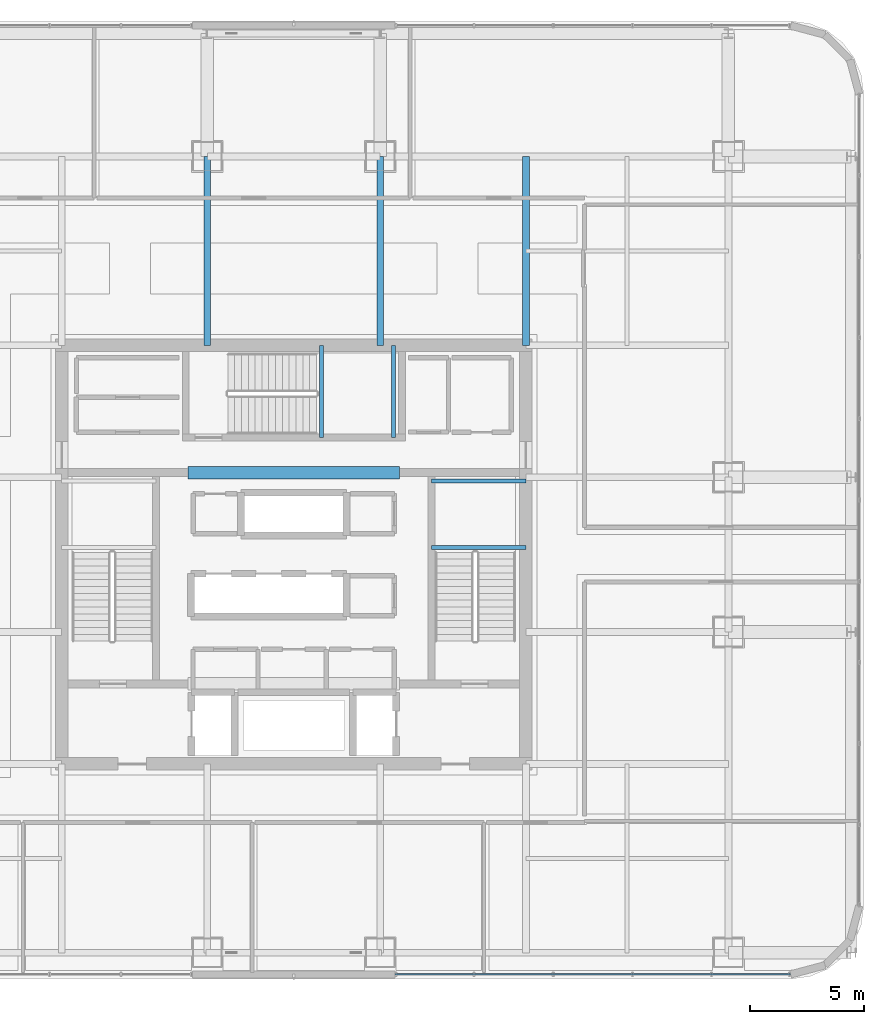
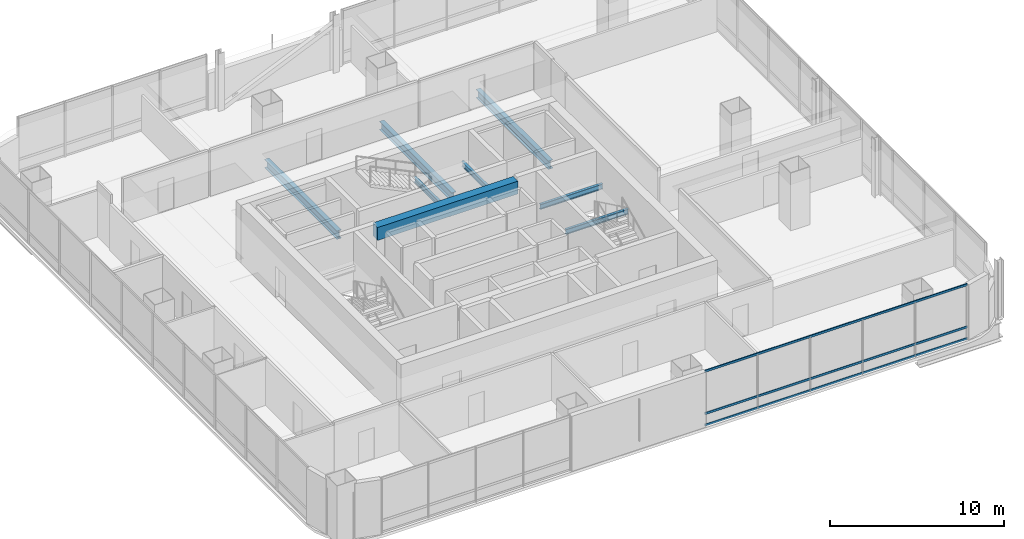
# One storey, part 11 of 44: 8 beams, 3 members, 1 element without a shape of its own.
"""IFC4 building model written with IfcOpenShell, lengths in metres."""

from ifc_helpers import new_model, si_unit, direction, frame, origin, origin_2d, place, context, subcontext, project, spatial, rectangle, hollow_rectangle, i_section, extrude, material, material_profile, profile_set, type_object, element, aggregate, save


model = new_model("IFC4")

# Units and contexts
model_context = context("Model", 3, precision=1e-05, world=origin(), true_north=direction((0.0, 1.0)))
body_context = subcontext(model_context, "Body", "Model", "MODEL_VIEW")
ifc_project = project(units=[si_unit("LENGTHUNIT", "METRE"), si_unit("AREAUNIT", "SQUARE_METRE"), si_unit("VOLUMEUNIT", "CUBIC_METRE"), si_unit("PLANEANGLEUNIT", "RADIAN"), si_unit("MASSUNIT", "GRAM", prefix="KILO")], contexts=[model_context])

# Site, building, storey
site_placement = place(None, origin())
site = spatial("IfcSite", under=ifc_project, at=site_placement, CompositionType="ELEMENT")
building_placement = place(site_placement, origin())
building = spatial("IfcBuilding", under=site, at=building_placement, Name="Punatoya Terracotta Tower", CompositionType="ELEMENT")
storey_placement = place(building_placement, frame((0.0, 0.0, 267.60009765625)))
storey = spatial("IfcBuildingStorey", under=building, at=storey_placement, Name="L63", CompositionType="ELEMENT", Elevation=267.60009765625)

# Beams
ifc_material_1 = material(Name="Steel S355", Category="steel")
ifc_material_profile_1 = material_profile(ifc_material_1, i_section(OverallWidth=0.300048828125, OverallDepth=0.60009765625, WebThickness=0.015380859375, FlangeThickness=0.030029296875, FilletRadius=0.01806640625, at=origin_2d()))
ifc_profile_set_1 = profile_set([ifc_material_profile_1], Name="Steel S355")
beam_type_1 = type_object("IfcBeamType", Name="BM-PRI-600", PredefinedType="BEAM", material=ifc_profile_set_1)
for number, where, z_axis, x_axis, name in (
    (1, (-3.800048828125, 9.199951171875, -0.5), (0.0, 1.0, 0.0), (-1.0, 0.0, 0.0), "BM-L63-PR-N2"),
    (2, (3.800048828125, 9.199951171875, -0.5), (0.0, 1.0, 0.0), (-1.0, 0.0, 0.0), "BM-L63-PR-N3"),
    (3, (10.199951171875, 9.199951171875, -0.5), (0.0, 1.0, 0.0), (-1.0, 0.0, 0.0), "BM-L63-PR-N4"),
):
    element("IfcBeam", number, at=place(storey_placement, frame(where, z_axis=z_axis, x_axis=x_axis)), inside=storey, type_object=beam_type_1, Name=name, PredefinedType="BEAM", context=body_context, shape_type="SweptSolid", body=[
        extrude(i_section(OverallWidth=0.300048828125, OverallDepth=0.60009765625, WebThickness=0.015380859375, FlangeThickness=0.030029296875, FilletRadius=0.01806640625, at=origin_2d()), origin(), (0.0, 0.0, 1.0), 8.300048828125),
    ])
ifc_material_2 = material(Name="Concrete C50/60", Category="concrete")
ifc_material_profile_2 = material_profile(ifc_material_2, rectangle(XDim=0.550048828125, YDim=0.89990234375, at=origin_2d()))
ifc_profile_set_2 = profile_set([ifc_material_profile_2], Name="Concrete C50/60")
beam_type_2 = type_object("IfcBeamType", Name="BM-RC-900", PredefinedType="LINTEL", material=ifc_profile_set_2)
beam_placement = place(storey_placement, frame((-4.64990234375, 3.60009765625, 3.39990234375), z_axis=(1.0, 0.0, 0.0), x_axis=(0.0, 1.0, 0.0)))
element("IfcBeam", 4, at=beam_placement, inside=storey, type_object=beam_type_2, Name="L63 Core Coupling Lintel CNW", PredefinedType="LINTEL", context=body_context, shape_type="SweptSolid", body=[
    extrude(rectangle(XDim=0.550048828125, YDim=0.89990234375, at=origin_2d()), origin(), (0.0, 0.0, 1.0), 9.2998046875),
])
ifc_material_profile_3 = material_profile(ifc_material_1, i_section(OverallWidth=0.169921875, OverallDepth=0.360107421875, WebThickness=0.008056640625, FlangeThickness=0.0126953125, FilletRadius=0.01806640625, at=origin_2d()))
ifc_profile_set_3 = profile_set([ifc_material_profile_3], Name="Steel S355")
beam_type_3 = type_object("IfcBeamType", Name="BM-SEC-360", PredefinedType="JOIST", material=ifc_profile_set_3)
for number, where, z_axis, x_axis, name in (
    (5, (6.050048828125, 0.320068359375, 1.64501953125), (1.0, 0.0, 0.0), (0.0, 1.0, 0.0), "BM-L63-ST-2-LD1A"),
    (6, (6.050048828125, 3.22998046875, 1.64501953125), (1.0, 0.0, 0.0), (0.0, 1.0, 0.0), "BM-L63-ST-2-LD1B"),
):
    element("IfcBeam", number, at=place(storey_placement, frame(where, z_axis=z_axis, x_axis=x_axis)), inside=storey, type_object=beam_type_3, Name=name, PredefinedType="JOIST", context=body_context, shape_type="SweptSolid", body=[
        extrude(i_section(OverallWidth=0.169921875, OverallDepth=0.360107421875, WebThickness=0.008056640625, FlangeThickness=0.0126953125, FilletRadius=0.01806640625, at=origin_2d()), origin(), (0.0, 0.0, 1.0), 4.14990234375),
    ])
for number, where, z_axis, x_axis, name in (
    (7, (1.219970703125, 5.14990234375, 1.64501953125), (0.0, 1.0, 0.0), (-1.0, 0.0, 0.0), "BM-L63-ST-3-LD1A"),
    (8, (4.3798828125, 5.14990234375, 1.64501953125), (0.0, 1.0, 0.0), (-1.0, 0.0, 0.0), "BM-L63-ST-3-LD1B"),
):
    element("IfcBeam", number, at=place(storey_placement, frame(where, z_axis=z_axis, x_axis=x_axis)), inside=storey, type_object=beam_type_3, Name=name, PredefinedType="JOIST", context=body_context, shape_type="SweptSolid", body=[
        extrude(i_section(OverallWidth=0.169921875, OverallDepth=0.360107421875, WebThickness=0.008056640625, FlangeThickness=0.0126953125, FilletRadius=0.01806640625, at=origin_2d()), origin(), (0.0, 0.0, 1.0), 4.050048828125),
    ])

# Curtain wall, members
ifc_material_3 = material(Name="Aluminium 6063-T6 + Double Low-E Glass", Category="aluminium")
curtain_wall_type = type_object("IfcCurtainWallType", Name="CW-M3", PredefinedType="NOTDEFINED", material=ifc_material_3)
curtain_wall_placement = place(storey_placement, origin())
curtain_wall = element("IfcCurtainWall", 9, at=curtain_wall_placement, inside=storey, type_object=curtain_wall_type, Name="L63 Curtain Wall CW-L63-S01-2", PredefinedType="NOTDEFINED")
ifc_material_4 = material(Name="Aluminium 6063-T6", Category="aluminium")
ifc_material_profile_4 = material_profile(ifc_material_4, hollow_rectangle(XDim=0.068115234375, YDim=0.14990234375, WallThickness=0.00390625, at=origin_2d()))
ifc_profile_set_4 = profile_set([ifc_material_profile_4], Name="Aluminium 6063-T6")
member_type = type_object("IfcMemberType", Name="CW-TRN-TYP", PredefinedType="USERDEFINED", material=ifc_profile_set_4)
member_1_placement = place(storey_placement, frame((4.449951171875, -18.449951171875, 0.039794921875), z_axis=(1.0, 0.0, 0.0), x_axis=(0.0, 1.0, 0.0)))
member_1 = element("IfcMember", 10, at=member_1_placement, type_object=member_type, Name="CW-L63-S01-2 Transom 1", ObjectType="TRANSOM", PredefinedType="USERDEFINED", context=body_context, shape_type="SweptSolid", body=[
    extrude(hollow_rectangle(XDim=0.068115234375, YDim=0.14990234375, WallThickness=0.00390625, at=origin_2d()), origin(), (0.0, 0.0, 1.0), 17.386962890625),
])
member_2_placement = place(storey_placement, frame((4.449951171875, -18.449951171875, 0.849853515625), z_axis=(1.0, 0.0, 0.0), x_axis=(0.0, 1.0, 0.0)))
member_2 = element("IfcMember", 11, at=member_2_placement, type_object=member_type, Name="CW-L63-S01-2 Transom 2", ObjectType="TRANSOM", PredefinedType="USERDEFINED", context=body_context, shape_type="SweptSolid", body=[
    extrude(hollow_rectangle(XDim=0.068115234375, YDim=0.14990234375, WallThickness=0.00390625, at=origin_2d()), origin(), (0.0, 0.0, 1.0), 17.386962890625),
])
member_3_placement = place(storey_placement, frame((4.449951171875, -18.449951171875, 3.809814453125), z_axis=(1.0, 0.0, 0.0), x_axis=(0.0, 1.0, 0.0)))
member_3 = element("IfcMember", 12, at=member_3_placement, type_object=member_type, Name="CW-L63-S01-2 Transom 3", ObjectType="TRANSOM", PredefinedType="USERDEFINED", context=body_context, shape_type="SweptSolid", body=[
    extrude(hollow_rectangle(XDim=0.068115234375, YDim=0.14990234375, WallThickness=0.00390625, at=origin_2d()), origin(), (0.0, 0.0, 1.0), 17.386962890625),
])
aggregate(curtain_wall, [member_1, member_2, member_3])

save(model, "model.ifc")
